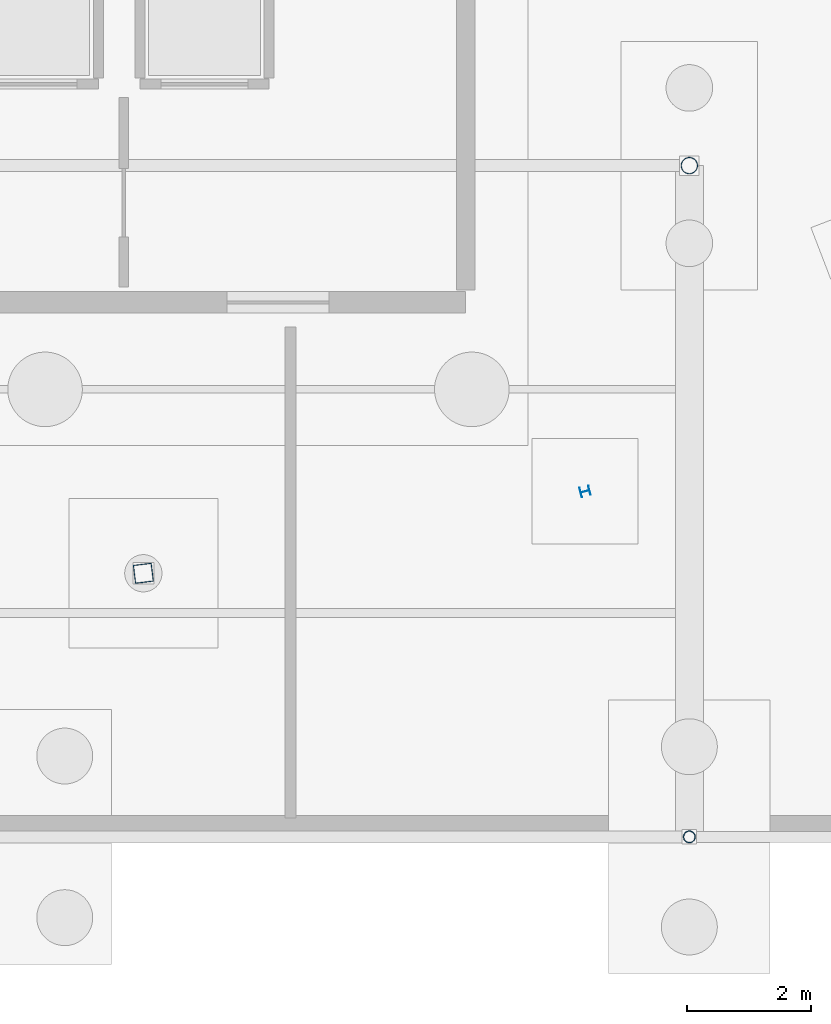
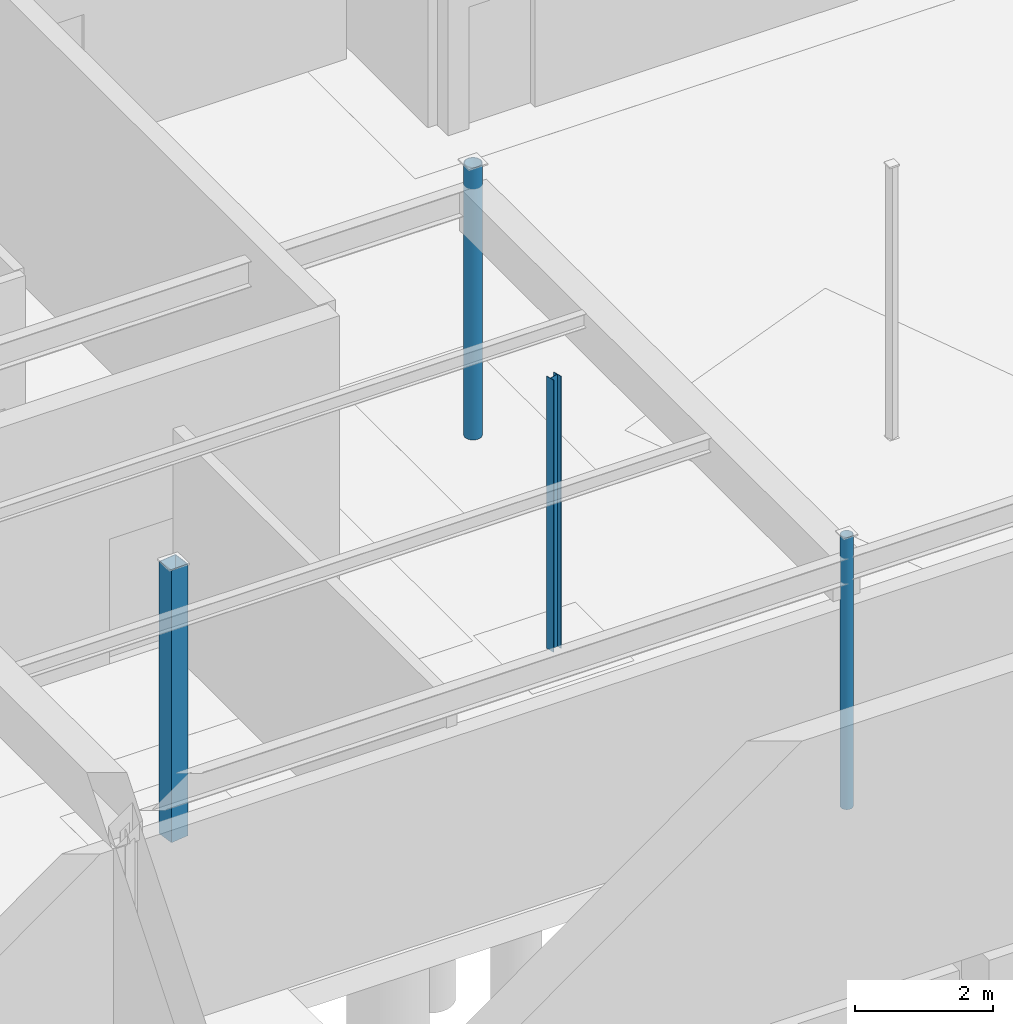
# One storey, part 22 of 136: 4 columns.
"""IFC4 building model written with IfcOpenShell, lengths in metres."""

from ifc_helpers import new_model, si_unit, direction, frame, origin, origin_2d, place, context, subcontext, project, spatial, hollow_rectangle, hollow_circle, i_section, extrude, material, material_profile, profile_set, type_object, element, save


model = new_model("IFC4")

# Units and contexts
model_context = context("Model", 3, precision=1e-05, world=origin(), true_north=direction((0.0, 1.0)))
body_context = subcontext(model_context, "Body", "Model", "MODEL_VIEW")
ifc_project = project(units=[si_unit("LENGTHUNIT", "METRE"), si_unit("AREAUNIT", "SQUARE_METRE"), si_unit("VOLUMEUNIT", "CUBIC_METRE"), si_unit("PLANEANGLEUNIT", "RADIAN"), si_unit("MASSUNIT", "GRAM", prefix="KILO")], contexts=[model_context])

# Site, building, storey
site_placement = place(None, origin())
site = spatial("IfcSite", under=ifc_project, at=site_placement, CompositionType="ELEMENT")
building_placement = place(site_placement, origin())
building = spatial("IfcBuilding", under=site, at=building_placement, Name="Tarnwether General Hospital", CompositionType="ELEMENT")
storey_placement = place(building_placement, frame((0.0, 0.0, -4.800048828125)))
storey = spatial("IfcBuildingStorey", under=building, at=storey_placement, Name="LG", CompositionType="ELEMENT", Elevation=-4.800048828125)

# Columns
ifc_material_1 = material(Name="Steel Grade C350L0 (350 MPa)", Category="steel")
ifc_material_profile_1 = material_profile(ifc_material_1, hollow_circle(Radius=0.136474609375, WallThickness=0.0126953125, at=origin_2d()), Name="CHS273.1x12.7")
ifc_profile_set_1 = profile_set([ifc_material_profile_1], Name="Steel Grade C350L0 (350 MPa)")
column_type_1 = type_object("IfcColumnType", Name="COL-12", PredefinedType="COLUMN", material=ifc_profile_set_1)
column_1_placement = place(storey_placement, frame((108.0, 10.800048828125, 0.0), z_axis=(0.0, 0.0, 1.0), x_axis=(0.0, 1.0, 0.0)))
element("IfcColumn", 1, at=column_1_placement, inside=storey, type_object=column_type_1, Name="Column COLG-LG-10800_1080", PredefinedType="COLUMN", context=body_context, shape_type="SweptSolid", body=[
    extrude(hollow_circle(Radius=0.136474609375, WallThickness=0.0126953125, at=origin_2d()), origin(), (0.0, 0.0, 1.0), 4.800048828125),
])
ifc_material_2 = material(Name="Steel Grade C350L0 (350 MPa)", Category="steel")
ifc_material_profile_2 = material_profile(ifc_material_2, hollow_circle(Radius=0.096923828125, WallThickness=0.008056640625, at=origin_2d()), Name="CHS193.7x8.0")
ifc_profile_set_2 = profile_set([ifc_material_profile_2], Name="Steel Grade C350L0 (350 MPa)")
column_type_2 = type_object("IfcColumnType", Name="COL-29", PredefinedType="COLUMN", material=ifc_profile_set_2)
column_2_placement = place(storey_placement, frame((108.0, 0.0, 0.0), z_axis=(0.0, 0.0, 1.0), x_axis=(0.0, 1.0, 0.0)))
element("IfcColumn", 2, at=column_2_placement, inside=storey, type_object=column_type_2, Name="Column COLG-LG-10800_0", PredefinedType="COLUMN", context=body_context, shape_type="SweptSolid", body=[
    extrude(hollow_circle(Radius=0.096923828125, WallThickness=0.008056640625, at=origin_2d()), origin(), (0.0, 0.0, 1.0), 4.800048828125),
])
ifc_material_3 = material(Name="Steel Grade C350L0 (350 MPa)", Category="steel")
ifc_material_profile_3 = material_profile(ifc_material_3, hollow_rectangle(XDim=0.300048828125, YDim=0.300048828125, WallThickness=0.012451171875, at=origin_2d()), Name="SHS300x300x12.5")
ifc_profile_set_3 = profile_set([ifc_material_profile_3], Name="Steel Grade C350L0 (350 MPa)")
column_type_3 = type_object("IfcColumnType", Name="COL-30", PredefinedType="COLUMN", material=ifc_profile_set_3)
column_3_placement = place(storey_placement, frame((99.215087890625, 4.240966796875, 0.0), z_axis=(0.0, 0.0, 1.0), x_axis=(-0.121869343405, 0.992546151641, 0.0)))
element("IfcColumn", 3, at=column_3_placement, inside=storey, type_object=column_type_3, Name="Column COLG-LG-9922_424", PredefinedType="COLUMN", context=body_context, shape_type="SweptSolid", body=[
    extrude(hollow_rectangle(XDim=0.300048828125, YDim=0.300048828125, WallThickness=0.012451171875, at=origin_2d()), origin(), (0.0, 0.0, 1.0), 4.800048828125),
])
ifc_material_4 = material(Name="Steel Grade 350 (350 MPa)", Category="steel")
ifc_material_profile_4 = material_profile(ifc_material_4, i_section(OverallWidth=0.152099609375, OverallDepth=0.152099609375, WebThickness=0.006103515625, FlangeThickness=0.0068359375, at=origin_2d()), Name="150UC23.4")
ifc_profile_set_4 = profile_set([ifc_material_profile_4], Name="Steel Grade 350 (350 MPa)")
column_type_4 = type_object("IfcColumnType", Name="COL-32", PredefinedType="COLUMN", material=ifc_profile_set_4)
column_4_placement = place(storey_placement, frame((106.322021484375, 5.55810546875, 0.0), z_axis=(0.0, 0.0, 1.0), x_axis=(-0.2419218956, 0.970295726276, 0.0)))
element("IfcColumn", 4, at=column_4_placement, inside=storey, type_object=column_type_4, Name="Column COLG-LG-10632_556", PredefinedType="COLUMN", context=body_context, shape_type="SweptSolid", body=[
    extrude(i_section(OverallWidth=0.152099609375, OverallDepth=0.152099609375, WebThickness=0.006103515625, FlangeThickness=0.0068359375, at=origin_2d()), origin(), (0.0, 0.0, 1.0), 4.800048828125),
])

save(model, "model.ifc")
